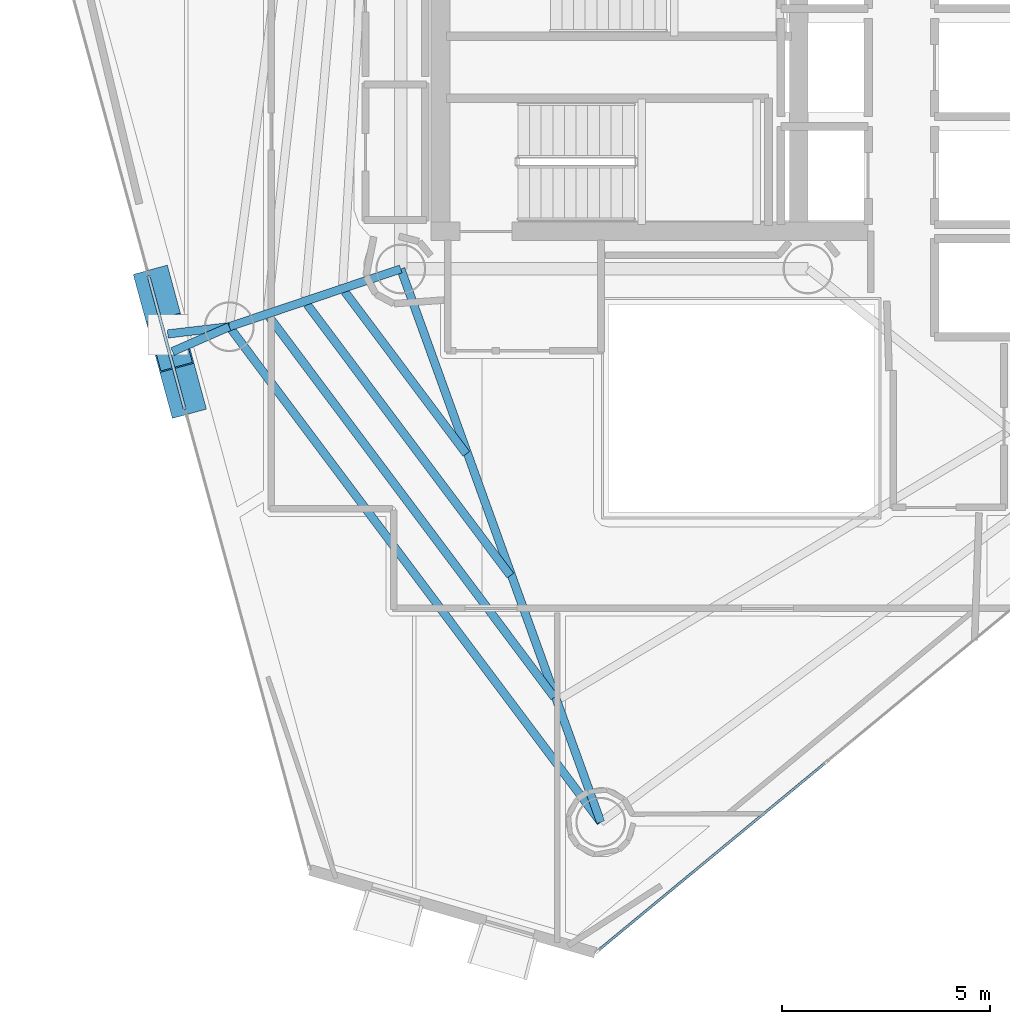
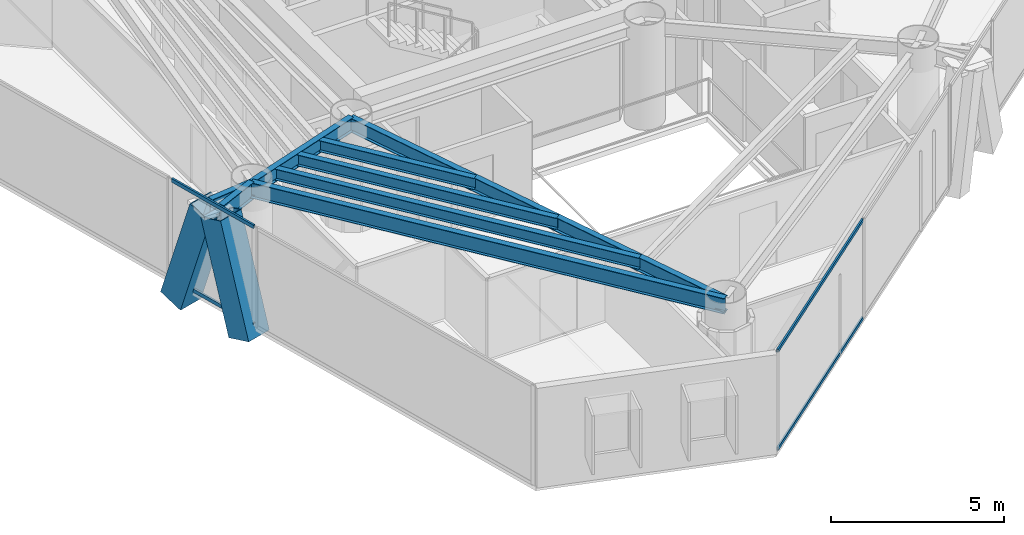
# One storey, part 3 of 21: 8 beams, 6 members, 2 elements without a shape of their own.
"""IFC4 building model written with IfcOpenShell, lengths in metres."""

from ifc_helpers import new_model, si_unit, direction, frame, origin, origin_2d, place, context, subcontext, project, spatial, hollow_rectangle, i_section, extrude, material, layer, layer_set, material_profile, profile_set, type_object, element, aggregate, save


model = new_model("IFC4")

# Units and contexts
model_context = context("Model", 3, precision=1e-05, world=origin(), true_north=direction((0.0, 1.0)))
body_context = subcontext(model_context, "Body", "Model", "MODEL_VIEW")
ifc_project = project(units=[si_unit("LENGTHUNIT", "METRE"), si_unit("AREAUNIT", "SQUARE_METRE"), si_unit("VOLUMEUNIT", "CUBIC_METRE"), si_unit("PLANEANGLEUNIT", "RADIAN"), si_unit("MASSUNIT", "GRAM", prefix="KILO")], contexts=[model_context])

# Site, building, storey
site_placement = place(None, origin())
site = spatial("IfcSite", under=ifc_project, at=site_placement, CompositionType="ELEMENT")
building_placement = place(site_placement, origin())
building = spatial("IfcBuilding", under=site, at=building_placement, Name="Qianvela Tower", CompositionType="ELEMENT")
storey_placement = place(building_placement, frame((0.0, 0.0, 211.39990234375)))
storey = spatial("IfcBuildingStorey", under=building, at=storey_placement, Name="L54", CompositionType="ELEMENT", Elevation=211.39990234375)

# Beams
ifc_material_1 = material(Name="Steel Q355B", Category="steel")
ifc_material_profile_1 = material_profile(ifc_material_1, i_section(OverallWidth=0.199951171875, OverallDepth=0.39990234375, WebThickness=0.008056640625, FlangeThickness=0.012939453125, at=origin_2d()), Name="HN400x200x8x13")
ifc_profile_set_1 = profile_set([ifc_material_profile_1], Name="Steel Q355B")
beam_type_1 = type_object("IfcBeamType", Name="BM-HN400-JOIST", PredefinedType="JOIST", material=ifc_profile_set_1)
beam_1_placement = place(storey_placement, frame((27.254150390625, 23.300537109375, 3.318115234375), z_axis=(0.599735620965, -0.800198216035, 0.0), x_axis=(0.800198216035, 0.599735620965, 0.0)))
element("IfcBeam", 1, at=beam_1_placement, inside=storey, type_object=beam_type_1, Name="L54 Secondary Composite Floor Joist 4.1", PredefinedType="JOIST", context=body_context, shape_type="SweptSolid", body=[
    extrude(i_section(OverallWidth=0.199951171875, OverallDepth=0.39990234375, WebThickness=0.008056640625, FlangeThickness=0.012939453125, at=origin_2d()), origin(), (0.0, 0.0, 1.0), 4.87646484375),
])
beam_2_placement = place(storey_placement, frame((26.345947265625, 22.994873046875, 3.318115234375), z_axis=(0.59975572356, -0.800183149071, 0.0), x_axis=(0.800183149071, 0.59975572356, 0.0)))
element("IfcBeam", 2, at=beam_2_placement, inside=storey, type_object=beam_type_1, Name="L54 Secondary Composite Floor Joist 4.2", PredefinedType="JOIST", context=body_context, shape_type="SweptSolid", body=[
    extrude(i_section(OverallWidth=0.199951171875, OverallDepth=0.39990234375, WebThickness=0.008056640625, FlangeThickness=0.012939453125, at=origin_2d()), origin(), (0.0, 0.0, 1.0), 8.156494140625),
])
beam_3_placement = place(storey_placement, frame((25.437744140625, 22.68896484375, 3.318115234375), z_axis=(0.599760871552, -0.800179290507, 0.0), x_axis=(0.800179290507, 0.599760871552, 0.0)))
element("IfcBeam", 3, at=beam_3_placement, inside=storey, type_object=beam_type_1, Name="L54 Secondary Composite Floor Joist 4.3", PredefinedType="JOIST", context=body_context, shape_type="SweptSolid", body=[
    extrude(i_section(OverallWidth=0.199951171875, OverallDepth=0.39990234375, WebThickness=0.008056640625, FlangeThickness=0.012939453125, at=origin_2d()), origin(), (0.0, 0.0, 1.0), 11.43603515625),
])
ifc_material_2 = material(Name="Steel Q355B", Category="steel")
ifc_material_profile_2 = material_profile(ifc_material_2, i_section(OverallWidth=0.199951171875, OverallDepth=0.5, WebThickness=0.010009765625, FlangeThickness=0.01611328125, at=origin_2d()), Name="HN500x200x10x16")
ifc_profile_set_2 = profile_set([ifc_material_profile_2], Name="Steel Q355B")
beam_type_2 = type_object("IfcBeamType", Name="BM-HN500-GIRD", PredefinedType="BEAM", material=ifc_profile_set_2)
beam_4_placement = place(storey_placement, frame((28.60009765625, 23.85009765625, 3.26806640625), z_axis=(-0.947709214586, -0.319135150976, 0.0), x_axis=(0.319135150976, -0.947709214586, 0.0)))
element("IfcBeam", 4, at=beam_4_placement, inside=storey, type_object=beam_type_2, Name="L54 Radial Primary Floor Girder 4", PredefinedType="BEAM", context=body_context, shape_type="SweptSolid", body=[
    extrude(i_section(OverallWidth=0.199951171875, OverallDepth=0.5, WebThickness=0.010009765625, FlangeThickness=0.01611328125, at=origin_2d()), origin(), (0.0, 0.0, 1.0), 4.35595703125),
])
beam_5_placement = place(storey_placement, frame((28.60009765625, 23.85009765625, 3.26806640625), z_axis=(0.339851607149, -0.940479072132, 0.0), x_axis=(0.940479072132, 0.339851607149, 0.0)))
element("IfcBeam", 5, at=beam_5_placement, inside=storey, type_object=beam_type_2, Name="L54 Radial Primary Floor Girder 5", PredefinedType="BEAM", context=body_context, shape_type="SweptSolid", body=[
    extrude(i_section(OverallWidth=0.199951171875, OverallDepth=0.5, WebThickness=0.010009765625, FlangeThickness=0.01611328125, at=origin_2d()), origin(), (0.0, 0.0, 1.0), 14.162109375),
])
ifc_material_3 = material(Name="Steel Q355B", Category="steel")
ifc_material_profile_3 = material_profile(ifc_material_3, i_section(OverallWidth=0.199951171875, OverallDepth=0.550048828125, WebThickness=0.010009765625, FlangeThickness=0.01611328125, at=origin_2d()), Name="HN550x200x10x16")
ifc_profile_set_3 = profile_set([ifc_material_profile_3], Name="Steel Q355B")
beam_type_3 = type_object("IfcBeamType", Name="BM-HN550-GIRD", PredefinedType="BEAM", material=ifc_profile_set_3)
beam_6_placement = place(storey_placement, frame((24.471923828125, 22.4599609375, 3.2431640625), z_axis=(0.599761529533, -0.800178797327, 0.0), x_axis=(0.800178797327, 0.599761529533, 0.0)))
element("IfcBeam", 6, at=beam_6_placement, inside=storey, type_object=beam_type_3, Name="L54 Perimeter Ring Spandrel Girder 4", PredefinedType="BEAM", context=body_context, shape_type="SweptSolid", body=[
    extrude(i_section(OverallWidth=0.199951171875, OverallDepth=0.550048828125, WebThickness=0.010009765625, FlangeThickness=0.01611328125, at=origin_2d()), origin(), (0.0, 0.0, 1.0), 14.907958984375),
])
ifc_material_4 = material(Name="Steel Q355B", Category="steel")
ifc_material_profile_4 = material_profile(ifc_material_4, i_section(OverallWidth=0.199951171875, OverallDepth=0.60009765625, WebThickness=0.010986328125, FlangeThickness=0.01708984375, at=origin_2d()), Name="HN600x200x11x17")
ifc_profile_set_4 = profile_set([ifc_material_profile_4], Name="Steel Q355B")
beam_type_4 = type_object("IfcBeamType", Name="BM-HN600-GIRD", PredefinedType="BEAM", material=ifc_profile_set_4)
for number, where, z_axis, x_axis, name in (
    (7, (24.471923828125, 22.4599609375, 3.218017578125), (-0.99312936154, -0.11702166999, 0.0), (0.11702166999, -0.99312936154, 0.0), "L54 Mega-Brace Column Tie Bracket F2-1"),
    (8, (24.471923828125, 22.4599609375, 3.218017578125), (-0.91581144166, -0.401608519985, 0.0), (0.401608519985, -0.91581144166, 0.0), "L54 Mega-Brace Column Tie Bracket F2-2"),
):
    element("IfcBeam", number, at=place(storey_placement, frame(where, z_axis=z_axis, x_axis=x_axis)), inside=storey, type_object=beam_type_4, Name=name, PredefinedType="BEAM", context=body_context, shape_type="SweptSolid", body=[
        extrude(i_section(OverallWidth=0.199951171875, OverallDepth=0.60009765625, WebThickness=0.010986328125, FlangeThickness=0.01708984375, at=origin_2d()), origin(), (0.0, 0.0, 1.0), 1.49169921875),
    ])

# Curtain wall, members
ifc_material_5 = material(Name="Anodised Architectural Aluminium and Insulated Spandrel Panel", Category="aluminium")
ifc_layer_1 = layer(ifc_material_5, 0.179931640625)
ifc_layer_set_1 = layer_set([ifc_layer_1], Name="Anodised Architectural Aluminium and Insulated Spandrel Panel")
curtain_wall_type_1 = type_object("IfcCurtainWallType", Name="CW-BRACEBAY", PredefinedType="USERDEFINED", material=ifc_layer_set_1)
curtain_wall_1_placement = place(storey_placement, origin())
curtain_wall_1 = element("IfcCurtainWall", 9, at=curtain_wall_1_placement, inside=storey, type_object=curtain_wall_type_1, Name="L54 CW-BRACEBAY Curtain Wall 04B", ObjectType="CURTAIN_WALL_SYSTEM", PredefinedType="USERDEFINED")
ifc_material_6 = material(Name="Anodised Architectural Aluminium 6063-T6", Category="aluminium")
ifc_material_profile_5 = material_profile(ifc_material_6, hollow_rectangle(XDim=0.06494140625, YDim=0.1298828125, WallThickness=0.00439453125, at=origin_2d()), Name="ALU-TRAN-65x130")
ifc_profile_set_5 = profile_set([ifc_material_profile_5], Name="Anodised Architectural Aluminium 6063-T6")
member_type_1 = type_object("IfcMemberType", Name="CW-BRACEBAY-TRAN", PredefinedType="USERDEFINED", material=ifc_profile_set_5)
member_1_placement = place(storey_placement, frame((22.52685546875, 23.686279296875, 0.03271484375), z_axis=(0.262195712605, -0.96501471921, 0.0), x_axis=(0.96501471921, 0.262195712605, 0.0)))
member_1 = element("IfcMember", 10, at=member_1_placement, type_object=member_type_1, Name="CW-9 transom 1.1", ObjectType="TRANSOM", PredefinedType="USERDEFINED", context=body_context, shape_type="SweptSolid", body=[
    extrude(hollow_rectangle(XDim=0.06494140625, YDim=0.1298828125, WallThickness=0.00439453125, at=origin_2d()), origin(), (0.0, 0.0, 1.0), 3.340087890625),
])
member_2_placement = place(storey_placement, frame((22.52685546875, 23.686279296875, 3.487548828125), z_axis=(0.262195712605, -0.96501471921, 0.0), x_axis=(0.96501471921, 0.262195712605, 0.0)))
member_2 = element("IfcMember", 11, at=member_2_placement, type_object=member_type_1, Name="CW-9 transom 1.2", ObjectType="TRANSOM", PredefinedType="USERDEFINED", context=body_context, shape_type="SweptSolid", body=[
    extrude(hollow_rectangle(XDim=0.06494140625, YDim=0.1298828125, WallThickness=0.00439453125, at=origin_2d()), origin(), (0.0, 0.0, 1.0), 3.340087890625),
])
aggregate(curtain_wall_1, [member_1, member_2])

ifc_material_7 = material(Name="Anodised Architectural Aluminium and Low-E Glass", Category="aluminium")
ifc_layer_2 = layer(ifc_material_7, 0.159912109375)
ifc_layer_set_2 = layer_set([ifc_layer_2], Name="Anodised Architectural Aluminium and Low-E Glass")
curtain_wall_type_2 = type_object("IfcCurtainWallType", Name="CW-COLIV-Z56", PredefinedType="USERDEFINED", material=ifc_layer_set_2)
curtain_wall_2_placement = place(storey_placement, origin())
curtain_wall_2 = element("IfcCurtainWall", 12, at=curtain_wall_2_placement, inside=storey, type_object=curtain_wall_type_2, Name="L54 CW-COLIV-Z56 Curtain Wall 06A", ObjectType="CURTAIN_WALL_SYSTEM", PredefinedType="USERDEFINED")
ifc_material_8 = material(Name="Anodised Architectural Aluminium 6063-T6", Category="aluminium")
ifc_material_profile_6 = material_profile(ifc_material_8, hollow_rectangle(XDim=0.06005859375, YDim=0.114990234375, WallThickness=0.00390625, at=origin_2d()), Name="ALU-TRAN-60x115")
ifc_profile_set_6 = profile_set([ifc_material_profile_6], Name="Anodised Architectural Aluminium 6063-T6")
member_type_2 = type_object("IfcMemberType", Name="CW-COLIV-Z56-TRAN", PredefinedType="USERDEFINED", material=ifc_profile_set_6)
member_3_placement = place(storey_placement, frame((33.372314453125, 7.462646484375, 0.030029296875), z_axis=(0.771029834863, 0.636799021474, 0.0), x_axis=(-0.636799021474, 0.771029834863, 0.0)))
member_3 = element("IfcMember", 13, at=member_3_placement, type_object=member_type_2, Name="CW-5 transom 1.1", ObjectType="TRANSOM", PredefinedType="USERDEFINED", context=body_context, shape_type="SweptSolid", body=[
    extrude(hollow_rectangle(XDim=0.06005859375, YDim=0.114990234375, WallThickness=0.00390625, at=origin_2d()), origin(), (0.0, 0.0, 1.0), 7.04248046875),
])
member_4_placement = place(storey_placement, frame((33.372314453125, 7.462646484375, 3.489990234375), z_axis=(0.771029834863, 0.636799021474, 0.0), x_axis=(-0.636799021474, 0.771029834863, 0.0)))
member_4 = element("IfcMember", 14, at=member_4_placement, type_object=member_type_2, Name="CW-5 transom 1.2", ObjectType="TRANSOM", PredefinedType="USERDEFINED", context=body_context, shape_type="SweptSolid", body=[
    extrude(hollow_rectangle(XDim=0.06005859375, YDim=0.114990234375, WallThickness=0.00390625, at=origin_2d()), origin(), (0.0, 0.0, 1.0), 7.04248046875),
])
aggregate(curtain_wall_2, [member_3, member_4])

# Members
ifc_material_9 = material(Name="Steel Q420GJC", Category="steel")
ifc_material_profile_7 = material_profile(ifc_material_9, hollow_rectangle(XDim=0.85009765625, YDim=0.85009765625, WallThickness=0.031982421875, at=origin_2d()), Name="MBOX-850x850x32")
ifc_profile_set_7 = profile_set([ifc_material_profile_7], Name="Steel Q420GJC")
member_type_3 = type_object("IfcMemberType", Name="MBR-MBRACE-850", PredefinedType="BRACE", material=ifc_profile_set_7)
member_5_placement = place(storey_placement, frame((22.6767578125, 23.43994140625, -0.48193359375), z_axis=(0.080677526355, -0.296905853799, 0.951492538448), x_axis=(0.965008277595, 0.262219419901, 0.0)))
element("IfcMember", 15, at=member_5_placement, inside=storey, type_object=member_type_3, Name="L54 Tier 9 Exterior Mega-Brace F2A", PredefinedType="BRACE", context=body_context, shape_type="SweptSolid", body=[
    extrude(hollow_rectangle(XDim=0.85009765625, YDim=0.85009765625, WallThickness=0.031982421875, at=origin_2d()), origin(), (0.0, 0.0, 1.0), 3.888671875),
])
member_6_placement = place(storey_placement, frame((23.406005859375, 20.755859375, -0.48193359375), z_axis=(-0.077533252966, 0.285297156848, 0.955297925769), x_axis=(-0.964999606396, -0.26225132918, 0.0)))
element("IfcMember", 16, at=member_6_placement, inside=storey, type_object=member_type_3, Name="L54 Tier 9 Exterior Mega-Brace F2B", PredefinedType="BRACE", context=body_context, shape_type="SweptSolid", body=[
    extrude(hollow_rectangle(XDim=0.85009765625, YDim=0.85009765625, WallThickness=0.031982421875, at=origin_2d()), origin(), (0.0, 0.0, 1.0), 3.873046875),
])

save(model, "model.ifc")
